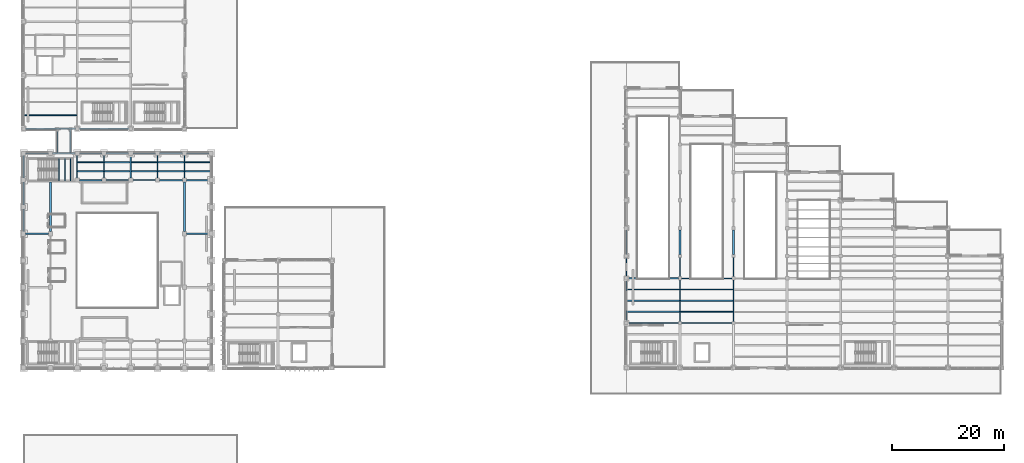
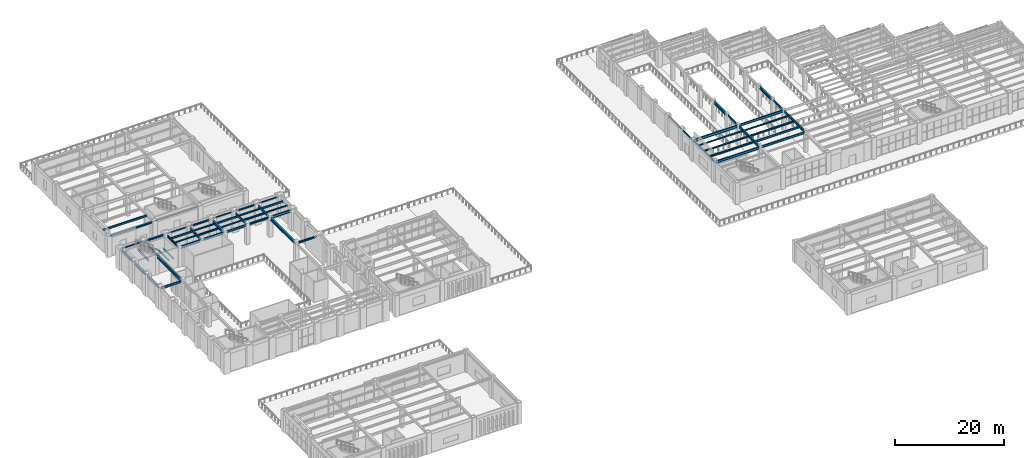
# One storey, part 18 of 83: 61 beams.
"""IFC4 building model written with IfcOpenShell, lengths in metres."""

from ifc_helpers import new_model, si_unit, direction, frame, origin, origin_2d, place, context, subcontext, project, spatial, hollow_rectangle, i_section, extrude, material, material_profile, profile_set, type_object, element, save


model = new_model("IFC4")

# Units and contexts
model_context = context("Model", 3, precision=1e-05, world=origin(), true_north=direction((0.0, 1.0)))
body_context = subcontext(model_context, "Body", "Model", "MODEL_VIEW")
ifc_project = project(units=[si_unit("LENGTHUNIT", "METRE"), si_unit("AREAUNIT", "SQUARE_METRE"), si_unit("VOLUMEUNIT", "CUBIC_METRE"), si_unit("PLANEANGLEUNIT", "RADIAN"), si_unit("MASSUNIT", "GRAM", prefix="KILO")], contexts=[model_context])

# Site, building, storey
site_placement = place(None, origin())
site = spatial("IfcSite", under=ifc_project, at=site_placement, CompositionType="ELEMENT")
building_placement = place(site_placement, origin())
building = spatial("IfcBuilding", under=site, at=building_placement, Name="Mavantir Sound Aquarium", CompositionType="ELEMENT")
storey_placement = place(building_placement, frame((0.0, 0.0, 10.5)))
storey = spatial("IfcBuildingStorey", under=building, at=storey_placement, Name="L02", CompositionType="ELEMENT", Elevation=10.5)

# Beams
ifc_material_1 = material(Name="Hollow Structural Steel ASTM A500 GrC", Category="steel")
ifc_material_profile_1 = material_profile(ifc_material_1, hollow_rectangle(XDim=0.199951171875, YDim=0.300048828125, WallThickness=0.012451171875, InnerFilletRadius=0.012451171875, OuterFilletRadius=0.02490234375, at=origin_2d()), Name="RHS 300X200X12.5")
ifc_profile_set_1 = profile_set([ifc_material_profile_1], Name="Hollow Structural Steel ASTM A500 GrC")
beam_type_1 = type_object("IfcBeamType", Name="BM-RHS300-E", PredefinedType="SPANDREL", material=ifc_profile_set_1)
beam_1_placement = place(storey_placement, frame((108.0, 49.10009765625, 4.3359375), z_axis=(0.0, 1.0, 0.0), x_axis=(-1.0, 0.0, 0.0)))
element("IfcBeam", 1, at=beam_1_placement, inside=storey, type_object=beam_type_1, Name="L02 primary girder SS-R30 1553", PredefinedType="SPANDREL", context=body_context, shape_type="SweptSolid", body=[
    extrude(hollow_rectangle(XDim=0.199951171875, YDim=0.300048828125, WallThickness=0.012451171875, InnerFilletRadius=0.012451171875, OuterFilletRadius=0.02490234375, at=origin_2d()), origin(), (0.0, 0.0, 1.0), 7.39990234375),
])
beam_2_placement = place(storey_placement, frame((108.0, 57.10009765625, 4.3359375), z_axis=(0.0, 1.0, 0.0), x_axis=(-1.0, 0.0, 0.0)))
element("IfcBeam", 2, at=beam_2_placement, inside=storey, type_object=beam_type_1, Name="L02 primary girder SS-R30 1554", PredefinedType="SPANDREL", context=body_context, shape_type="SweptSolid", body=[
    extrude(hollow_rectangle(XDim=0.199951171875, YDim=0.300048828125, WallThickness=0.012451171875, InnerFilletRadius=0.012451171875, OuterFilletRadius=0.02490234375, at=origin_2d()), origin(), (0.0, 0.0, 1.0), 3.39990234375),
])
beam_3_placement = place(storey_placement, frame((108.0, 61.10009765625, 4.3359375), z_axis=(0.0, 1.0, 0.0), x_axis=(-1.0, 0.0, 0.0)))
element("IfcBeam", 3, at=beam_3_placement, inside=storey, type_object=beam_type_1, Name="L02 primary girder SS-R30 1555", PredefinedType="SPANDREL", context=body_context, shape_type="SweptSolid", body=[
    extrude(hollow_rectangle(XDim=0.199951171875, YDim=0.300048828125, WallThickness=0.012451171875, InnerFilletRadius=0.012451171875, OuterFilletRadius=0.02490234375, at=origin_2d()), origin(), (0.0, 0.0, 1.0), 4.39990234375),
])
ifc_material_2 = material(Name="Structural Steel ASTM A992 Gr50", Category="steel")
ifc_material_profile_2 = material_profile(ifc_material_2, i_section(OverallWidth=0.202880859375, OverallDepth=0.202880859375, WebThickness=0.007080078125, FlangeThickness=0.010986328125, FilletRadius=0.010009765625, at=origin_2d()), Name="W200X46")
ifc_profile_set_2 = profile_set([ifc_material_profile_2], Name="Structural Steel ASTM A992 Gr50")
beam_type_2 = type_object("IfcBeamType", Name="BM-W200X46-E", PredefinedType="LINTEL", material=ifc_profile_set_2)
beam_4_placement = place(storey_placement, frame((0.375, 79.199951171875, 4.29443359375), z_axis=(1.0, 0.0, 0.0), x_axis=(0.0, 1.0, 0.0)))
element("IfcBeam", 4, at=beam_4_placement, inside=storey, type_object=beam_type_2, Name="L02 primary beam SL-20 1442", PredefinedType="LINTEL", context=body_context, shape_type="SweptSolid", body=[
    extrude(i_section(OverallWidth=0.202880859375, OverallDepth=0.202880859375, WebThickness=0.007080078125, FlangeThickness=0.010986328125, FilletRadius=0.010009765625, at=origin_2d()), origin(), (0.0, 0.0, 1.0), 4.050048828125),
])
beam_5_placement = place(storey_placement, frame((9.97509765625, 79.199951171875, 4.29443359375), z_axis=(1.0, 0.0, 0.0), x_axis=(0.0, 1.0, 0.0)))
element("IfcBeam", 5, at=beam_5_placement, inside=storey, type_object=beam_type_2, Name="L02 primary beam SL-20 1444", PredefinedType="LINTEL", context=body_context, shape_type="SweptSolid", body=[
    extrude(i_section(OverallWidth=0.202880859375, OverallDepth=0.202880859375, WebThickness=0.007080078125, FlangeThickness=0.010986328125, FilletRadius=0.010009765625, at=origin_2d()), origin(), (0.0, 0.0, 1.0), 4.0498046875),
])
for number, where, z_axis, x_axis, name in (
    (6, (19.574951171875, 79.199951171875, 4.29443359375), (1.0, 0.0, 0.0), (0.0, 1.0, 0.0), "L02 primary beam SL-20 1446"),
    (7, (29.175048828125, 79.199951171875, 4.29443359375), (1.0, 0.0, 0.0), (0.0, 1.0, 0.0), "L02 primary beam SL-20 1448"),
):
    element("IfcBeam", number, at=place(storey_placement, frame(where, z_axis=z_axis, x_axis=x_axis)), inside=storey, type_object=beam_type_2, Name=name, PredefinedType="LINTEL", context=body_context, shape_type="SweptSolid", body=[
        extrude(i_section(OverallWidth=0.202880859375, OverallDepth=0.202880859375, WebThickness=0.007080078125, FlangeThickness=0.010986328125, FilletRadius=0.010009765625, at=origin_2d()), origin(), (0.0, 0.0, 1.0), 4.050048828125),
    ])
beam_6_placement = place(storey_placement, frame((9.89990234375, 83.60009765625, 4.41455078125), z_axis=(1.0, 0.0, 0.0), x_axis=(0.0, 1.0, 0.0)))
element("IfcBeam", 8, at=beam_6_placement, inside=storey, type_object=beam_type_2, Name="L02 primary beam SL-20 1604", PredefinedType="LINTEL", context=body_context, shape_type="SweptSolid", body=[
    extrude(i_section(OverallWidth=0.202880859375, OverallDepth=0.202880859375, WebThickness=0.007080078125, FlangeThickness=0.010986328125, FilletRadius=0.010009765625, at=origin_2d()), origin(), (0.0, 0.0, 1.0), 9.0),
])
ifc_material_profile_3 = material_profile(ifc_material_2, i_section(OverallWidth=0.202880859375, OverallDepth=0.202880859375, WebThickness=0.007080078125, FlangeThickness=0.010986328125, FilletRadius=0.010009765625, at=origin_2d()), Name="W200X46")
ifc_profile_set_3 = profile_set([ifc_material_profile_3], Name="Structural Steel ASTM A992 Gr50")
beam_type_3 = type_object("IfcBeamType", Name="BM-W200X46-I", PredefinedType="LINTEL", material=ifc_profile_set_3)
for number, where, z_axis, x_axis, name in (
    (9, (6.35009765625, 74.27490234375, 2.095458984375), (0.0, 1.0, 0.0), (-1.0, 0.0, 0.0), "Stair ST2 landing support beam 28"),
    (10, (7.389892578125, 74.27490234375, 2.095458984375), (0.0, 1.0, 0.0), (-1.0, 0.0, 0.0), "Stair ST2 landing support beam 29"),
    (11, (8.429931640625, 74.27490234375, 2.095458984375), (0.0, 1.0, 0.0), (-1.0, 0.0, 0.0), "Stair ST2 landing support beam 30"),
):
    element("IfcBeam", number, at=place(storey_placement, frame(where, z_axis=z_axis, x_axis=x_axis)), inside=storey, type_object=beam_type_3, Name=name, PredefinedType="LINTEL", context=body_context, shape_type="SweptSolid", body=[
        extrude(i_section(OverallWidth=0.202880859375, OverallDepth=0.202880859375, WebThickness=0.007080078125, FlangeThickness=0.010986328125, FilletRadius=0.010009765625, at=origin_2d()), origin(), (0.0, 0.0, 1.0), 4.0),
    ])
ifc_material_profile_4 = material_profile(ifc_material_2, i_section(OverallWidth=0.202880859375, OverallDepth=0.251953125, WebThickness=0.008056640625, FlangeThickness=0.013427734375, FilletRadius=0.011962890625, at=origin_2d()), Name="W250X58")
ifc_profile_set_4 = profile_set([ifc_material_profile_4], Name="Structural Steel ASTM A992 Gr50")
beam_type_4 = type_object("IfcBeamType", Name="BM-W250X58-I", PredefinedType="JOIST", material=ifc_profile_set_4)
beam_7_placement = place(storey_placement, frame((9.697021484375, 76.0, 4.27001953125), z_axis=(1.0, 0.0, 0.0), x_axis=(0.0, 1.0, 0.0)))
element("IfcBeam", 12, at=beam_7_placement, inside=storey, type_object=beam_type_4, Name="L02 secondary floor joist SJ-25 856", PredefinedType="JOIST", context=body_context, shape_type="SweptSolid", body=[
    extrude(i_section(OverallWidth=0.202880859375, OverallDepth=0.251953125, WebThickness=0.008056640625, FlangeThickness=0.013427734375, FilletRadius=0.011962890625, at=origin_2d()), origin(), (0.0, 0.0, 1.0), 4.596923828125),
])
beam_8_placement = place(storey_placement, frame((19.362060546875, 76.0, 4.27001953125), z_axis=(1.0, 0.0, 0.0), x_axis=(0.0, 1.0, 0.0)))
element("IfcBeam", 13, at=beam_8_placement, inside=storey, type_object=beam_type_4, Name="L02 secondary floor joist SJ-25 860", PredefinedType="JOIST", context=body_context, shape_type="SweptSolid", body=[
    extrude(i_section(OverallWidth=0.202880859375, OverallDepth=0.251953125, WebThickness=0.008056640625, FlangeThickness=0.013427734375, FilletRadius=0.011962890625, at=origin_2d()), origin(), (0.0, 0.0, 1.0), 4.541015625),
])
beam_9_placement = place(storey_placement, frame((28.906005859375, 76.0, 4.27001953125), z_axis=(1.0, 0.0, 0.0), x_axis=(0.0, 1.0, 0.0)))
element("IfcBeam", 14, at=beam_9_placement, inside=storey, type_object=beam_type_4, Name="L02 secondary floor joist SJ-25 864", PredefinedType="JOIST", context=body_context, shape_type="SweptSolid", body=[
    extrude(i_section(OverallWidth=0.202880859375, OverallDepth=0.251953125, WebThickness=0.008056640625, FlangeThickness=0.013427734375, FilletRadius=0.011962890625, at=origin_2d()), origin(), (0.0, 0.0, 1.0), 4.54150390625),
])
beam_10_placement = place(storey_placement, frame((108.10009765625, 54.800048828125, 4.360107421875), z_axis=(1.0, 0.0, 0.0), x_axis=(0.0, 1.0, 0.0)))
element("IfcBeam", 15, at=beam_10_placement, inside=storey, type_object=beam_type_4, Name="L02 secondary floor joist SJ-25 908", PredefinedType="JOIST", context=body_context, shape_type="SweptSolid", body=[
    extrude(i_section(OverallWidth=0.202880859375, OverallDepth=0.251953125, WebThickness=0.008056640625, FlangeThickness=0.013427734375, FilletRadius=0.011962890625, at=origin_2d()), origin(), (0.0, 0.0, 1.0), 9.393798828125),
])
ifc_material_profile_5 = material_profile(ifc_material_2, i_section(OverallWidth=0.205078125, OverallDepth=0.31005859375, WebThickness=0.009521484375, FlangeThickness=0.016357421875, FilletRadius=0.012939453125, at=origin_2d()), Name="W310X74")
ifc_profile_set_5 = profile_set([ifc_material_profile_5], Name="Structural Steel ASTM A992 Gr50")
beam_type_5 = type_object("IfcBeamType", Name="BM-W310X74-I", PredefinedType="JOIST", material=ifc_profile_set_5)
beam_11_placement = place(storey_placement, frame((14.506103515625, 77.60009765625, 4.240966796875), z_axis=(1.0, 0.0, 0.0), x_axis=(0.0, 1.0, 0.0)))
element("IfcBeam", 16, at=beam_11_placement, inside=storey, type_object=beam_type_5, Name="L02 secondary floor joist SJ-31 859", PredefinedType="JOIST", context=body_context, shape_type="SweptSolid", body=[
    extrude(i_section(OverallWidth=0.205078125, OverallDepth=0.31005859375, WebThickness=0.009521484375, FlangeThickness=0.016357421875, FilletRadius=0.012939453125, at=origin_2d()), origin(), (0.0, 0.0, 1.0), 4.531982421875),
])
beam_12_placement = place(storey_placement, frame((24.096923828125, 77.60009765625, 4.240966796875), z_axis=(1.0, 0.0, 0.0), x_axis=(0.0, 1.0, 0.0)))
element("IfcBeam", 17, at=beam_12_placement, inside=storey, type_object=beam_type_5, Name="L02 secondary floor joist SJ-31 863", PredefinedType="JOIST", context=body_context, shape_type="SweptSolid", body=[
    extrude(i_section(OverallWidth=0.205078125, OverallDepth=0.31005859375, WebThickness=0.009521484375, FlangeThickness=0.016357421875, FilletRadius=0.012939453125, at=origin_2d()), origin(), (0.0, 0.0, 1.0), 4.59716796875),
])
beam_13_placement = place(storey_placement, frame((108.10009765625, 52.800048828125, 4.3310546875), z_axis=(1.0, 0.0, 0.0), x_axis=(0.0, 1.0, 0.0)))
element("IfcBeam", 18, at=beam_13_placement, inside=storey, type_object=beam_type_5, Name="L02 secondary floor joist SJ-31 907", PredefinedType="JOIST", context=body_context, shape_type="SweptSolid", body=[
    extrude(i_section(OverallWidth=0.205078125, OverallDepth=0.31005859375, WebThickness=0.009521484375, FlangeThickness=0.016357421875, FilletRadius=0.012939453125, at=origin_2d()), origin(), (0.0, 0.0, 1.0), 9.393798828125),
])
beam_14_placement = place(storey_placement, frame((117.7060546875, 54.800048828125, 4.3310546875), z_axis=(1.0, 0.0, 0.0), x_axis=(0.0, 1.0, 0.0)))
element("IfcBeam", 19, at=beam_14_placement, inside=storey, type_object=beam_type_5, Name="L02 secondary floor joist SJ-31 911", PredefinedType="JOIST", context=body_context, shape_type="SweptSolid", body=[
    extrude(i_section(OverallWidth=0.205078125, OverallDepth=0.31005859375, WebThickness=0.009521484375, FlangeThickness=0.016357421875, FilletRadius=0.012939453125, at=origin_2d()), origin(), (0.0, 0.0, 1.0), 9.387939453125),
])
ifc_material_profile_6 = material_profile(ifc_material_2, i_section(OverallWidth=0.304931640625, OverallDepth=0.30810546875, WebThickness=0.010009765625, FlangeThickness=0.015380859375, FilletRadius=0.014892578125, at=origin_2d()), Name="W310X97")
ifc_profile_set_6 = profile_set([ifc_material_profile_6], Name="Structural Steel ASTM A992 Gr50")
beam_type_6 = type_object("IfcBeamType", Name="BM-W310X97-E", PredefinedType="SPANDREL", material=ifc_profile_set_6)
for number, where, z_axis, x_axis, name in (
    (20, (5.175048828125, 79.199951171875, 4.241943359375), (1.0, 0.0, 0.0), (0.0, 1.0, 0.0), "L02 primary beam SS-31A 1443"),
    (21, (14.77490234375, 79.199951171875, 4.241943359375), (1.0, 0.0, 0.0), (0.0, 1.0, 0.0), "L02 primary beam SS-31A 1445"),
    (22, (24.375, 79.199951171875, 4.241943359375), (1.0, 0.0, 0.0), (0.0, 1.0, 0.0), "L02 primary beam SS-31A 1447"),
    (23, (0.0, 65.175048828125, 4.241943359375), (0.0, 1.0, 0.0), (-1.0, 0.0, 0.0), "L02 primary girder SS-31A 1454"),
):
    element("IfcBeam", number, at=place(storey_placement, frame(where, z_axis=z_axis, x_axis=x_axis)), inside=storey, type_object=beam_type_6, Name=name, PredefinedType="SPANDREL", context=body_context, shape_type="SweptSolid", body=[
        extrude(i_section(OverallWidth=0.304931640625, OverallDepth=0.30810546875, WebThickness=0.010009765625, FlangeThickness=0.015380859375, FilletRadius=0.014892578125, at=origin_2d()), origin(), (0.0, 0.0, 1.0), 4.050048828125),
    ])
beam_15_placement = place(storey_placement, frame((0.0, 69.97509765625, 4.241943359375), z_axis=(0.0, 1.0, 0.0), x_axis=(-1.0, 0.0, 0.0)))
element("IfcBeam", 24, at=beam_15_placement, inside=storey, type_object=beam_type_6, Name="L02 primary girder SS-31A 1455", PredefinedType="SPANDREL", context=body_context, shape_type="SweptSolid", body=[
    extrude(i_section(OverallWidth=0.304931640625, OverallDepth=0.30810546875, WebThickness=0.010009765625, FlangeThickness=0.015380859375, FilletRadius=0.014892578125, at=origin_2d()), origin(), (0.0, 0.0, 1.0), 4.0498046875),
])
beam_16_placement = place(storey_placement, frame((0.0, 74.77490234375, 4.241943359375), z_axis=(0.0, 1.0, 0.0), x_axis=(-1.0, 0.0, 0.0)))
element("IfcBeam", 25, at=beam_16_placement, inside=storey, type_object=beam_type_6, Name="L02 primary girder SS-31A 1456", PredefinedType="SPANDREL", context=body_context, shape_type="SweptSolid", body=[
    extrude(i_section(OverallWidth=0.304931640625, OverallDepth=0.30810546875, WebThickness=0.010009765625, FlangeThickness=0.015380859375, FilletRadius=0.014892578125, at=origin_2d()), origin(), (0.0, 0.0, 1.0), 4.050048828125),
])
beam_17_placement = place(storey_placement, frame((0.300048828125, 83.60009765625, 4.362060546875), z_axis=(1.0, 0.0, 0.0), x_axis=(0.0, 1.0, 0.0)))
element("IfcBeam", 26, at=beam_17_placement, inside=storey, type_object=beam_type_6, Name="L02 primary beam SS-31A 1603", PredefinedType="SPANDREL", context=body_context, shape_type="SweptSolid", body=[
    extrude(i_section(OverallWidth=0.304931640625, OverallDepth=0.30810546875, WebThickness=0.010009765625, FlangeThickness=0.015380859375, FilletRadius=0.014892578125, at=origin_2d()), origin(), (0.0, 0.0, 1.0), 9.0),
])
ifc_material_profile_7 = material_profile(ifc_material_2, i_section(OverallWidth=0.257080078125, OverallDepth=0.363037109375, WebThickness=0.012939453125, FlangeThickness=0.021728515625, FilletRadius=0.014892578125, at=origin_2d()), Name="W360X122")
ifc_profile_set_7 = profile_set([ifc_material_profile_7], Name="Structural Steel ASTM A992 Gr50")
beam_type_7 = type_object("IfcBeamType", Name="BM-W360X122-I", PredefinedType="BEAM", material=ifc_profile_set_7)
for number, where, z_axis, x_axis, name in (
    (27, (29.175048828125, 64.800048828125, 4.214599609375), (1.0, 0.0, 0.0), (0.0, 1.0, 0.0), "L02 primary beam SB-36A 1436"),
    (28, (24.375, 74.39990234375, 4.214599609375), (1.0, 0.0, 0.0), (0.0, 1.0, 0.0), "L02 primary beam SB-36A 1440"),
):
    element("IfcBeam", number, at=place(storey_placement, frame(where, z_axis=z_axis, x_axis=x_axis)), inside=storey, type_object=beam_type_7, Name=name, PredefinedType="BEAM", context=body_context, shape_type="SweptSolid", body=[
        extrude(i_section(OverallWidth=0.257080078125, OverallDepth=0.363037109375, WebThickness=0.012939453125, FlangeThickness=0.021728515625, FilletRadius=0.014892578125, at=origin_2d()), origin(), (0.0, 0.0, 1.0), 4.050048828125),
    ])
ifc_material_profile_8 = material_profile(ifc_material_2, i_section(OverallWidth=0.25390625, OverallDepth=0.35302734375, WebThickness=0.009521484375, FlangeThickness=0.016357421875, FilletRadius=0.014892578125, at=origin_2d()), Name="W360X91")
ifc_profile_set_8 = profile_set([ifc_material_profile_8], Name="Structural Steel ASTM A992 Gr50")
beam_type_8 = type_object("IfcBeamType", Name="BM-W360X91-I", PredefinedType="JOIST", material=ifc_profile_set_8)
beam_18_placement = place(storey_placement, frame((14.506103515625, 76.0, 4.219482421875), z_axis=(1.0, 0.0, 0.0), x_axis=(0.0, 1.0, 0.0)))
element("IfcBeam", 29, at=beam_18_placement, inside=storey, type_object=beam_type_8, Name="L02 secondary floor joist SJ-36 858", PredefinedType="JOIST", context=body_context, shape_type="SweptSolid", body=[
    extrude(i_section(OverallWidth=0.25390625, OverallDepth=0.35302734375, WebThickness=0.009521484375, FlangeThickness=0.016357421875, FilletRadius=0.014892578125, at=origin_2d()), origin(), (0.0, 0.0, 1.0), 4.531982421875),
])
beam_19_placement = place(storey_placement, frame((24.096923828125, 76.0, 4.219482421875), z_axis=(1.0, 0.0, 0.0), x_axis=(0.0, 1.0, 0.0)))
element("IfcBeam", 30, at=beam_19_placement, inside=storey, type_object=beam_type_8, Name="L02 secondary floor joist SJ-36 862", PredefinedType="JOIST", context=body_context, shape_type="SweptSolid", body=[
    extrude(i_section(OverallWidth=0.25390625, OverallDepth=0.35302734375, WebThickness=0.009521484375, FlangeThickness=0.016357421875, FilletRadius=0.014892578125, at=origin_2d()), origin(), (0.0, 0.0, 1.0), 4.59716796875),
])
beam_20_placement = place(storey_placement, frame((108.10009765625, 50.800048828125, 4.3095703125), z_axis=(1.0, 0.0, 0.0), x_axis=(0.0, 1.0, 0.0)))
element("IfcBeam", 31, at=beam_20_placement, inside=storey, type_object=beam_type_8, Name="L02 secondary floor joist SJ-36 906", PredefinedType="JOIST", context=body_context, shape_type="SweptSolid", body=[
    extrude(i_section(OverallWidth=0.25390625, OverallDepth=0.35302734375, WebThickness=0.009521484375, FlangeThickness=0.016357421875, FilletRadius=0.014892578125, at=origin_2d()), origin(), (0.0, 0.0, 1.0), 9.393798828125),
])
beam_21_placement = place(storey_placement, frame((117.7060546875, 52.800048828125, 4.3095703125), z_axis=(1.0, 0.0, 0.0), x_axis=(0.0, 1.0, 0.0)))
element("IfcBeam", 32, at=beam_21_placement, inside=storey, type_object=beam_type_8, Name="L02 secondary floor joist SJ-36 910", PredefinedType="JOIST", context=body_context, shape_type="SweptSolid", body=[
    extrude(i_section(OverallWidth=0.25390625, OverallDepth=0.35302734375, WebThickness=0.009521484375, FlangeThickness=0.016357421875, FilletRadius=0.014892578125, at=origin_2d()), origin(), (0.0, 0.0, 1.0), 9.387939453125),
])
ifc_material_profile_9 = material_profile(ifc_material_2, i_section(OverallWidth=0.180908203125, OverallDepth=0.4169921875, WebThickness=0.010986328125, FlangeThickness=0.018310546875, FilletRadius=0.014892578125, at=origin_2d()), Name="W410X85")
ifc_profile_set_9 = profile_set([ifc_material_profile_9], Name="Structural Steel ASTM A992 Gr50")
beam_type_9 = type_object("IfcBeamType", Name="BM-W410X85-I", PredefinedType="JOIST", material=ifc_profile_set_9)
beam_22_placement = place(storey_placement, frame((9.697021484375, 77.60009765625, 4.1875), z_axis=(1.0, 0.0, 0.0), x_axis=(0.0, 1.0, 0.0)))
element("IfcBeam", 33, at=beam_22_placement, inside=storey, type_object=beam_type_9, Name="L02 secondary floor joist SJ-41 857", PredefinedType="JOIST", context=body_context, shape_type="SweptSolid", body=[
    extrude(i_section(OverallWidth=0.180908203125, OverallDepth=0.4169921875, WebThickness=0.010986328125, FlangeThickness=0.018310546875, FilletRadius=0.014892578125, at=origin_2d()), origin(), (0.0, 0.0, 1.0), 4.596923828125),
])
beam_23_placement = place(storey_placement, frame((19.362060546875, 77.60009765625, 4.1875), z_axis=(1.0, 0.0, 0.0), x_axis=(0.0, 1.0, 0.0)))
element("IfcBeam", 34, at=beam_23_placement, inside=storey, type_object=beam_type_9, Name="L02 secondary floor joist SJ-41 861", PredefinedType="JOIST", context=body_context, shape_type="SweptSolid", body=[
    extrude(i_section(OverallWidth=0.180908203125, OverallDepth=0.4169921875, WebThickness=0.010986328125, FlangeThickness=0.018310546875, FilletRadius=0.014892578125, at=origin_2d()), origin(), (0.0, 0.0, 1.0), 4.541015625),
])
beam_24_placement = place(storey_placement, frame((28.906005859375, 77.60009765625, 4.1875), z_axis=(1.0, 0.0, 0.0), x_axis=(0.0, 1.0, 0.0)))
element("IfcBeam", 35, at=beam_24_placement, inside=storey, type_object=beam_type_9, Name="L02 secondary floor joist SJ-41 865", PredefinedType="JOIST", context=body_context, shape_type="SweptSolid", body=[
    extrude(i_section(OverallWidth=0.180908203125, OverallDepth=0.4169921875, WebThickness=0.010986328125, FlangeThickness=0.018310546875, FilletRadius=0.014892578125, at=origin_2d()), origin(), (0.0, 0.0, 1.0), 4.54150390625),
])
beam_25_placement = place(storey_placement, frame((117.7060546875, 50.800048828125, 4.277587890625), z_axis=(1.0, 0.0, 0.0), x_axis=(0.0, 1.0, 0.0)))
element("IfcBeam", 36, at=beam_25_placement, inside=storey, type_object=beam_type_9, Name="L02 secondary floor joist SJ-41 909", PredefinedType="JOIST", context=body_context, shape_type="SweptSolid", body=[
    extrude(i_section(OverallWidth=0.180908203125, OverallDepth=0.4169921875, WebThickness=0.010986328125, FlangeThickness=0.018310546875, FilletRadius=0.014892578125, at=origin_2d()), origin(), (0.0, 0.0, 1.0), 9.387939453125),
])
beam_26_placement = place(storey_placement, frame((0.152587890625, 86.0, 4.3076171875), z_axis=(1.0, 0.0, 0.0), x_axis=(0.0, 1.0, 0.0)))
element("IfcBeam", 37, at=beam_26_placement, inside=storey, type_object=beam_type_9, Name="L02 secondary floor joist SJ-41 953", PredefinedType="JOIST", context=body_context, shape_type="SweptSolid", body=[
    extrude(i_section(OverallWidth=0.180908203125, OverallDepth=0.4169921875, WebThickness=0.010986328125, FlangeThickness=0.018310546875, FilletRadius=0.014892578125, at=origin_2d()), origin(), (0.0, 0.0, 1.0), 9.350341796875),
])
ifc_material_profile_10 = material_profile(ifc_material_2, i_section(OverallWidth=0.194091796875, OverallDepth=0.468994140625, WebThickness=0.0126953125, FlangeThickness=0.0205078125, FilletRadius=0.01611328125, at=origin_2d()), Name="W460X106")
ifc_profile_set_10 = profile_set([ifc_material_profile_10], Name="Structural Steel ASTM A992 Gr50")
beam_type_10 = type_object("IfcBeamType", Name="BM-W460X106-E", PredefinedType="BEAM", material=ifc_profile_set_10)
for number, where, z_axis, x_axis, name in (
    (38, (6.050048828125, 79.35009765625, -0.514404296875), (0.0, 1.0, 0.0), (-1.0, 0.0, 0.0), "Slide-bearing link bridge girder 5.1"),
    (39, (8.35009765625, 79.35009765625, -0.514404296875), (0.0, 1.0, 0.0), (-1.0, 0.0, 0.0), "Slide-bearing link bridge girder 5.2"),
):
    element("IfcBeam", number, at=place(storey_placement, frame(where, z_axis=z_axis, x_axis=x_axis)), inside=storey, type_object=beam_type_10, Name=name, PredefinedType="BEAM", context=body_context, shape_type="SweptSolid", body=[
        extrude(i_section(OverallWidth=0.194091796875, OverallDepth=0.468994140625, WebThickness=0.0126953125, FlangeThickness=0.0205078125, FilletRadius=0.01611328125, at=origin_2d()), origin(), (0.0, 0.0, 1.0), 4.099853515625),
    ])
ifc_material_profile_11 = material_profile(ifc_material_2, i_section(OverallWidth=0.194091796875, OverallDepth=0.468994140625, WebThickness=0.0126953125, FlangeThickness=0.0205078125, FilletRadius=0.01611328125, at=origin_2d()), Name="W460X106")
ifc_profile_set_11 = profile_set([ifc_material_profile_11], Name="Structural Steel ASTM A992 Gr50")
beam_type_11 = type_object("IfcBeamType", Name="BM-W460X106-I", PredefinedType="BEAM", material=ifc_profile_set_11)
for number, where, z_axis, x_axis, name in (
    (40, (0.375, 64.800048828125, 4.16162109375), (1.0, 0.0, 0.0), (0.0, 1.0, 0.0), "L02 primary beam SB-46 1435"),
    (41, (19.574951171875, 74.39990234375, 4.16162109375), (1.0, 0.0, 0.0), (0.0, 1.0, 0.0), "L02 primary beam SB-46 1439"),
    (42, (9.60009765625, 74.77490234375, 4.16162109375), (0.0, 1.0, 0.0), (-1.0, 0.0, 0.0), "L02 primary girder SB-46 1461"),
    (43, (24.0, 74.77490234375, 4.16162109375), (0.0, 1.0, 0.0), (-1.0, 0.0, 0.0), "L02 primary girder SB-46 1467"),
):
    element("IfcBeam", number, at=place(storey_placement, frame(where, z_axis=z_axis, x_axis=x_axis)), inside=storey, type_object=beam_type_11, Name=name, PredefinedType="BEAM", context=body_context, shape_type="SweptSolid", body=[
        extrude(i_section(OverallWidth=0.194091796875, OverallDepth=0.468994140625, WebThickness=0.0126953125, FlangeThickness=0.0205078125, FilletRadius=0.01611328125, at=origin_2d()), origin(), (0.0, 0.0, 1.0), 4.050048828125),
    ])
beam_27_placement = place(storey_placement, frame((117.89990234375, 48.800048828125, 4.25146484375), z_axis=(1.0, 0.0, 0.0), x_axis=(0.0, 1.0, 0.0)))
element("IfcBeam", 44, at=beam_27_placement, inside=storey, type_object=beam_type_11, Name="L02 primary beam SB-46 1523", PredefinedType="BEAM", context=body_context, shape_type="SweptSolid", body=[
    extrude(i_section(OverallWidth=0.194091796875, OverallDepth=0.468994140625, WebThickness=0.0126953125, FlangeThickness=0.0205078125, FilletRadius=0.01611328125, at=origin_2d()), origin(), (0.0, 0.0, 1.0), 9.0),
])
for number, where, z_axis, x_axis, name in (
    (45, (117.60009765625, 57.10009765625, 4.25146484375), (0.0, 1.0, 0.0), (-1.0, 0.0, 0.0), "L02 primary girder SB-46 1563"),
    (46, (127.199951171875, 57.10009765625, 4.25146484375), (0.0, 1.0, 0.0), (-1.0, 0.0, 0.0), "L02 primary girder SB-46 1572"),
):
    element("IfcBeam", number, at=place(storey_placement, frame(where, z_axis=z_axis, x_axis=x_axis)), inside=storey, type_object=beam_type_11, Name=name, PredefinedType="BEAM", context=body_context, shape_type="SweptSolid", body=[
        extrude(i_section(OverallWidth=0.194091796875, OverallDepth=0.468994140625, WebThickness=0.0126953125, FlangeThickness=0.0205078125, FilletRadius=0.01611328125, at=origin_2d()), origin(), (0.0, 0.0, 1.0), 3.39990234375),
    ])
ifc_material_profile_12 = material_profile(ifc_material_2, i_section(OverallWidth=0.2119140625, OverallDepth=0.5439453125, WebThickness=0.01318359375, FlangeThickness=0.021240234375, FilletRadius=0.01806640625, at=origin_2d()), Name="W530X123")
ifc_profile_set_12 = profile_set([ifc_material_profile_12], Name="Structural Steel ASTM A992 Gr50")
beam_type_12 = type_object("IfcBeamType", Name="BM-W530X123-I", PredefinedType="BEAM", material=ifc_profile_set_12)
for number, where, z_axis, x_axis, name in (
    (47, (14.77490234375, 74.39990234375, 4.1240234375), (1.0, 0.0, 0.0), (0.0, 1.0, 0.0), "L02 primary beam SB-53 1438"),
    (48, (14.39990234375, 74.77490234375, 4.1240234375), (0.0, 1.0, 0.0), (-1.0, 0.0, 0.0), "L02 primary girder SB-53 1463"),
    (49, (28.800048828125, 74.77490234375, 4.1240234375), (0.0, 1.0, 0.0), (-1.0, 0.0, 0.0), "L02 primary girder SB-53 1472"),
):
    element("IfcBeam", number, at=place(storey_placement, frame(where, z_axis=z_axis, x_axis=x_axis)), inside=storey, type_object=beam_type_12, Name=name, PredefinedType="BEAM", context=body_context, shape_type="SweptSolid", body=[
        extrude(i_section(OverallWidth=0.2119140625, OverallDepth=0.5439453125, WebThickness=0.01318359375, FlangeThickness=0.021240234375, FilletRadius=0.01806640625, at=origin_2d()), origin(), (0.0, 0.0, 1.0), 4.050048828125),
    ])
for number, where, z_axis, x_axis, name in (
    (50, (108.300048828125, 48.800048828125, 4.214111328125), (1.0, 0.0, 0.0), (0.0, 1.0, 0.0), "L02 primary beam SB-53 1522"),
    (51, (117.89990234375, 56.800048828125, 4.214111328125), (1.0, 0.0, 0.0), (0.0, 1.0, 0.0), "L02 primary beam SB-53 1530"),
):
    element("IfcBeam", number, at=place(storey_placement, frame(where, z_axis=z_axis, x_axis=x_axis)), inside=storey, type_object=beam_type_12, Name=name, PredefinedType="BEAM", context=body_context, shape_type="SweptSolid", body=[
        extrude(i_section(OverallWidth=0.2119140625, OverallDepth=0.5439453125, WebThickness=0.01318359375, FlangeThickness=0.021240234375, FilletRadius=0.01806640625, at=origin_2d()), origin(), (0.0, 0.0, 1.0), 9.0),
    ])
for number, where, z_axis, x_axis, name in (
    (52, (117.60009765625, 49.10009765625, 4.214111328125), (0.0, 1.0, 0.0), (-1.0, 0.0, 0.0), "L02 primary girder SB-53 1562"),
    (53, (127.199951171875, 49.10009765625, 4.214111328125), (0.0, 1.0, 0.0), (-1.0, 0.0, 0.0), "L02 primary girder SB-53 1571"),
):
    element("IfcBeam", number, at=place(storey_placement, frame(where, z_axis=z_axis, x_axis=x_axis)), inside=storey, type_object=beam_type_12, Name=name, PredefinedType="BEAM", context=body_context, shape_type="SweptSolid", body=[
        extrude(i_section(OverallWidth=0.2119140625, OverallDepth=0.5439453125, WebThickness=0.01318359375, FlangeThickness=0.021240234375, FilletRadius=0.01806640625, at=origin_2d()), origin(), (0.0, 0.0, 1.0), 7.39990234375),
    ])
ifc_material_profile_13 = material_profile(ifc_material_2, i_section(OverallWidth=0.22900390625, OverallDepth=0.612060546875, WebThickness=0.011962890625, FlangeThickness=0.01953125, FilletRadius=0.01904296875, at=origin_2d()), Name="W610X125")
ifc_profile_set_13 = profile_set([ifc_material_profile_13], Name="Structural Steel ASTM A992 Gr50")
beam_type_13 = type_object("IfcBeamType", Name="BM-W610X125-I", PredefinedType="BEAM", material=ifc_profile_set_13)
beam_28_placement = place(storey_placement, frame((9.97509765625, 74.39990234375, 4.090087890625), z_axis=(1.0, 0.0, 0.0), x_axis=(0.0, 1.0, 0.0)))
element("IfcBeam", 54, at=beam_28_placement, inside=storey, type_object=beam_type_13, Name="L02 primary beam SB-61B 1437", PredefinedType="BEAM", context=body_context, shape_type="SweptSolid", body=[
    extrude(i_section(OverallWidth=0.22900390625, OverallDepth=0.612060546875, WebThickness=0.011962890625, FlangeThickness=0.01953125, FilletRadius=0.01904296875, at=origin_2d()), origin(), (0.0, 0.0, 1.0), 4.0498046875),
])
beam_29_placement = place(storey_placement, frame((29.175048828125, 74.39990234375, 4.090087890625), z_axis=(1.0, 0.0, 0.0), x_axis=(0.0, 1.0, 0.0)))
element("IfcBeam", 55, at=beam_29_placement, inside=storey, type_object=beam_type_13, Name="L02 primary beam SB-61B 1441", PredefinedType="BEAM", context=body_context, shape_type="SweptSolid", body=[
    extrude(i_section(OverallWidth=0.22900390625, OverallDepth=0.612060546875, WebThickness=0.011962890625, FlangeThickness=0.01953125, FilletRadius=0.01904296875, at=origin_2d()), origin(), (0.0, 0.0, 1.0), 4.050048828125),
])
beam_30_placement = place(storey_placement, frame((108.300048828125, 56.800048828125, 4.179931640625), z_axis=(1.0, 0.0, 0.0), x_axis=(0.0, 1.0, 0.0)))
element("IfcBeam", 56, at=beam_30_placement, inside=storey, type_object=beam_type_13, Name="L02 primary beam SB-61B 1529", PredefinedType="BEAM", context=body_context, shape_type="SweptSolid", body=[
    extrude(i_section(OverallWidth=0.22900390625, OverallDepth=0.612060546875, WebThickness=0.011962890625, FlangeThickness=0.01953125, FilletRadius=0.01904296875, at=origin_2d()), origin(), (0.0, 0.0, 1.0), 9.0),
])
ifc_material_profile_14 = material_profile(ifc_material_2, i_section(OverallWidth=0.323974609375, OverallDepth=0.611083984375, WebThickness=0.0126953125, FlangeThickness=0.01904296875, FilletRadius=0.01904296875, at=origin_2d()), Name="W610X155")
ifc_profile_set_14 = profile_set([ifc_material_profile_14], Name="Structural Steel ASTM A992 Gr50")
beam_type_14 = type_object("IfcBeamType", Name="BM-W610X155-I", PredefinedType="BEAM", material=ifc_profile_set_14)
beam_31_placement = place(storey_placement, frame((4.800048828125, 65.175048828125, 4.090576171875), z_axis=(0.0, 1.0, 0.0), x_axis=(-1.0, 0.0, 0.0)))
element("IfcBeam", 57, at=beam_31_placement, inside=storey, type_object=beam_type_14, Name="L02 primary girder SB-61A 1459", PredefinedType="BEAM", context=body_context, shape_type="SweptSolid", body=[
    extrude(i_section(OverallWidth=0.323974609375, OverallDepth=0.611083984375, WebThickness=0.0126953125, FlangeThickness=0.01904296875, FilletRadius=0.01904296875, at=origin_2d()), origin(), (0.0, 0.0, 1.0), 8.849853515625),
])
beam_32_placement = place(storey_placement, frame((19.199951171875, 74.77490234375, 4.090576171875), z_axis=(0.0, 1.0, 0.0), x_axis=(-1.0, 0.0, 0.0)))
element("IfcBeam", 58, at=beam_32_placement, inside=storey, type_object=beam_type_14, Name="L02 primary girder SB-61A 1465", PredefinedType="BEAM", context=body_context, shape_type="SweptSolid", body=[
    extrude(i_section(OverallWidth=0.323974609375, OverallDepth=0.611083984375, WebThickness=0.0126953125, FlangeThickness=0.01904296875, FilletRadius=0.01904296875, at=origin_2d()), origin(), (0.0, 0.0, 1.0), 4.050048828125),
])
beam_33_placement = place(storey_placement, frame((28.800048828125, 65.175048828125, 4.090576171875), z_axis=(0.0, 1.0, 0.0), x_axis=(-1.0, 0.0, 0.0)))
element("IfcBeam", 59, at=beam_33_placement, inside=storey, type_object=beam_type_14, Name="L02 primary girder SB-61A 1471", PredefinedType="BEAM", context=body_context, shape_type="SweptSolid", body=[
    extrude(i_section(OverallWidth=0.323974609375, OverallDepth=0.611083984375, WebThickness=0.0126953125, FlangeThickness=0.01904296875, FilletRadius=0.01904296875, at=origin_2d()), origin(), (0.0, 0.0, 1.0), 8.849853515625),
])
for number, where, z_axis, x_axis, name in (
    (60, (117.60009765625, 61.10009765625, 4.180419921875), (0.0, 1.0, 0.0), (-1.0, 0.0, 0.0), "L02 primary girder SB-61A 1564"),
    (61, (127.199951171875, 61.10009765625, 4.180419921875), (0.0, 1.0, 0.0), (-1.0, 0.0, 0.0), "L02 primary girder SB-61A 1573"),
):
    element("IfcBeam", number, at=place(storey_placement, frame(where, z_axis=z_axis, x_axis=x_axis)), inside=storey, type_object=beam_type_14, Name=name, PredefinedType="BEAM", context=body_context, shape_type="SweptSolid", body=[
        extrude(i_section(OverallWidth=0.323974609375, OverallDepth=0.611083984375, WebThickness=0.0126953125, FlangeThickness=0.01904296875, FilletRadius=0.01904296875, at=origin_2d()), origin(), (0.0, 0.0, 1.0), 4.39990234375),
    ])

save(model, "model.ifc")
